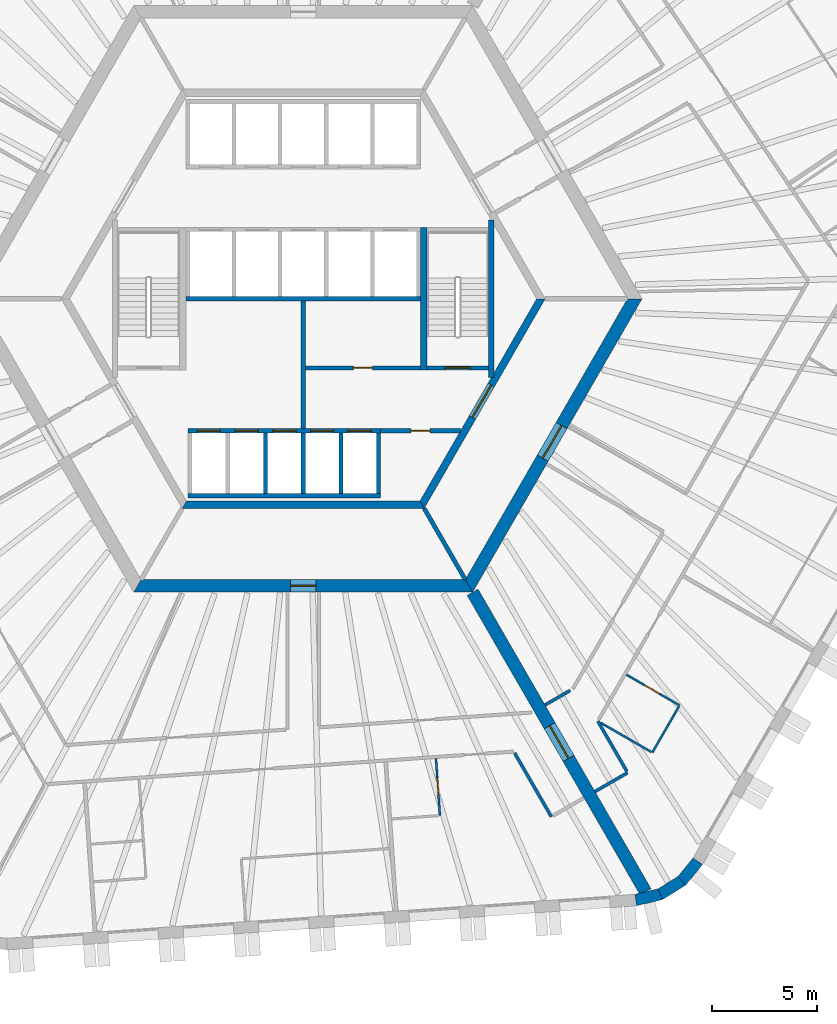
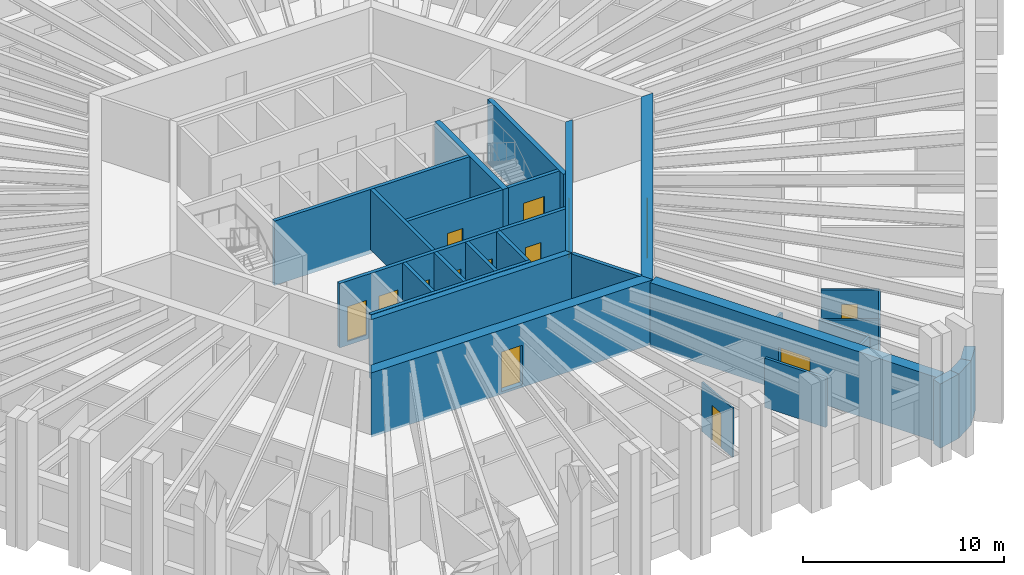
# One storey, part 5 of 13: 30 walls, 14 doors, 14 openings.
"""IFC4 building model written with IfcOpenShell, lengths in metres."""

from ifc_helpers import new_model, si_unit, direction, frame, frame_2d, origin, place, context, subcontext, project, spatial, polyline, rectangle, outline, extrude, material, layer, layer_set, type_object, element, fill, save


model = new_model("IFC4")

# Units and contexts
model_context = context("Model", 3, precision=1e-05, world=origin(), true_north=direction((0.0, 1.0)))
body_context = subcontext(model_context, "Body", "Model", "MODEL_VIEW")
ifc_project = project(units=[si_unit("LENGTHUNIT", "METRE"), si_unit("AREAUNIT", "SQUARE_METRE"), si_unit("VOLUMEUNIT", "CUBIC_METRE"), si_unit("PLANEANGLEUNIT", "RADIAN"), si_unit("MASSUNIT", "GRAM", prefix="KILO")], contexts=[model_context])

# Site, building, storey
site_placement = place(None, origin())
site = spatial("IfcSite", under=ifc_project, at=site_placement, CompositionType="ELEMENT")
building_placement = place(site_placement, origin())
building = spatial("IfcBuilding", under=site, at=building_placement, Name="Tarnside Tower", CompositionType="ELEMENT")
storey_placement = place(building_placement, frame((0.0, 0.0, 92.10009765625)))
storey = spatial("IfcBuildingStorey", under=building, at=storey_placement, Name="L20", CompositionType="ELEMENT", Elevation=92.10009765625)

# Wall, opening, door
ifc_material_1 = material(Name="Gypsum board partition on steel studs", Category="steel")
ifc_layer_1 = layer(ifc_material_1, 0.10009765625)
ifc_layer_set_1 = layer_set([ifc_layer_1], Name="Bathroom wall 100")
wall_type_1 = type_object("IfcWallType", Name="Bathroom wall 100", PredefinedType="PARTITIONING", material=ifc_layer_set_1)
wall_1_placement = place(storey_placement, frame((6.33447265625, -21.9365234375, 0.0), z_axis=(0.0, 0.0, 1.0), x_axis=(0.069789009646, -0.997561774595, 0.0)))
wall_1 = element("IfcWall", 1, at=wall_1_placement, inside=storey, type_object=wall_type_1, Name="Bathroom wall 06136", PredefinedType="PARTITIONING", context=body_context, shape_type="SweptSolid", body=[
    extrude(rectangle(XDim=2.72509765625, YDim=0.10009765625, at=frame_2d((1.362548828125, 0.0))), origin(), (0.0, 0.0, 1.0), 2.98779296875),
])
opening_1_placement = place(wall_1_placement, frame((0.925048828125, 0.0, 0.0)))
opening_1 = element("IfcOpeningElement", 2, at=opening_1_placement, cuts=wall_1, Name="Opening D-B1", PredefinedType="OPENING", context=body_context, shape_type="SweptSolid", body=[
    extrude(rectangle(XDim=0.800048828125, YDim=2.10009765625, at=frame_2d((0.39990234375, 1.050048828125))), frame((0.0, 0.06005859375, 0.0), z_axis=(0.0, -1.0, 0.0), x_axis=(1.0, 0.0, 0.0)), (0.0, 0.0, 1.0), 0.1201171875),
])
ifc_material_2 = material(Name="Timber door leaf", Category="wood")
door_type_1 = type_object("IfcDoorType", Name="Bathroom door 800", OperationType="NOTDEFINED", PredefinedType="DOOR", material=ifc_material_2)
door_1_placement = place(opening_1_placement, origin())
door_1 = element("IfcDoor", 3, at=door_1_placement, inside=storey, type_object=door_type_1, Name="Bathroom door 06029", OperationType="SINGLE_SWING_RIGHT", OverallHeight=2.10009765625, OverallWidth=0.800048828125, PredefinedType="DOOR", context=body_context, shape_type="SweptSolid", body=[
    extrude(rectangle(XDim=0.800048828125, YDim=2.10009765625, at=frame_2d((0.39990234375, 1.050048828125))), frame((0.0, 0.02490234375, 0.0), z_axis=(0.0, -1.0, 0.0), x_axis=(1.0, 0.0, 0.0)), (0.0, 0.0, 1.0), 0.050048828125),
])
fill(opening_1, door_1)

wall_2_placement = place(storey_placement, frame((15.42333984375, -17.935791015625, 0.0), z_axis=(0.0, 0.0, 1.0), x_axis=(0.86601045545, -0.500025890382, 0.0)))
wall_2 = element("IfcWall", 4, at=wall_2_placement, inside=storey, type_object=wall_type_1, Name="Bathroom wall 06138", PredefinedType="PARTITIONING", context=body_context, shape_type="SweptSolid", body=[
    extrude(rectangle(XDim=2.925048828125, YDim=0.10009765625, at=frame_2d((1.46240234375, 0.0))), origin(), (0.0, 0.0, 1.0), 2.98779296875),
])
opening_2_placement = place(wall_2_placement, frame((1.02490234375, 0.0, 0.0)))
opening_2 = element("IfcOpeningElement", 5, at=opening_2_placement, cuts=wall_2, Name="Opening D-B1", PredefinedType="OPENING", context=body_context, shape_type="SweptSolid", body=[
    extrude(rectangle(XDim=0.800048828125, YDim=2.10009765625, at=frame_2d((0.39990234375, 1.050048828125))), frame((0.0, 0.06005859375, 0.0), z_axis=(0.0, -1.0, 0.0), x_axis=(1.0, 0.0, 0.0)), (0.0, 0.0, 1.0), 0.1201171875),
])
door_2_placement = place(opening_2_placement, origin())
door_2 = element("IfcDoor", 6, at=door_2_placement, inside=storey, type_object=door_type_1, Name="Bathroom door 06031", OperationType="SINGLE_SWING_RIGHT", OverallHeight=2.10009765625, OverallWidth=0.800048828125, PredefinedType="DOOR", context=body_context, shape_type="SweptSolid", body=[
    extrude(rectangle(XDim=0.800048828125, YDim=2.10009765625, at=frame_2d((0.39990234375, 1.050048828125))), frame((0.0, 0.02490234375, 0.0), z_axis=(0.0, -1.0, 0.0), x_axis=(1.0, 0.0, 0.0)), (0.0, 0.0, 1.0), 0.050048828125),
])
fill(opening_2, door_2)

# Walls
wall_3_placement = place(storey_placement, frame((17.931640625, -19.441650390625, 0.0), z_axis=(0.0, 0.0, 1.0), x_axis=(-0.500062241894, -0.865989465428, 0.0)))
element("IfcWall", 7, at=wall_3_placement, inside=storey, type_object=wall_type_1, Name="Bathroom wall 06139", PredefinedType="PARTITIONING", context=body_context, shape_type="SweptSolid", body=[
    extrude(rectangle(XDim=2.550048828125, YDim=0.10009765625, at=frame_2d((1.27490234375, 0.0))), origin(), (0.0, 0.0, 1.0), 2.98779296875),
])
wall_4_placement = place(storey_placement, frame((16.61328125, -21.625, 0.0), z_axis=(0.0, 0.0, 1.0), x_axis=(-0.866034573852, 0.49998411664, 0.0)))
element("IfcWall", 8, at=wall_4_placement, inside=storey, type_object=wall_type_1, Name="Bathroom wall 06140", PredefinedType="PARTITIONING", context=body_context, shape_type="SweptSolid", body=[
    extrude(rectangle(XDim=2.7998046875, YDim=0.10009765625, at=frame_2d((1.39990234375, 0.0))), origin(), (0.0, 0.0, 1.0), 2.98779296875),
])
ifc_material_3 = material(Name="Concrete C50/60", Category="concrete")
ifc_layer_2 = layer(ifc_material_3, 0.35009765625)
ifc_layer_set_2 = layer_set([ifc_layer_2], Name="Core block wall 350 C50/60")
wall_type_2 = type_object("IfcWallType", Name="Core block wall 350 C50/60", PredefinedType="SHEAR", material=ifc_layer_set_2)
wall_5_placement = place(storey_placement, frame((-5.672607421875, -9.824951171875, -0.150146484375), z_axis=(0.0, 0.0, 1.0), x_axis=(1.0, 0.0, 0.0)))
element("IfcWall", 9, at=wall_5_placement, inside=storey, type_object=wall_type_2, Name="L20 core block wall face 4", PredefinedType="SHEAR", context=body_context, shape_type="SweptSolid", body=[
    extrude(outline(polyline([(-0.10107421875, -0.175048828125), (11.4462890625, -0.175048828125), (11.244140625, 0.175048828125), (0.10107421875, 0.175048828125), (-0.10107421875, -0.175048828125)])), origin(), (0.0, 0.0, 1.0), 3.900146484375),
])

# Wall, opening, door
wall_6_placement = place(storey_placement, frame((5.672607421875, -9.824951171875, -0.150146484375), z_axis=(0.0, 0.0, 1.0), x_axis=(0.499995046907, 0.866028263435, 0.0)))
wall_6 = element("IfcWall", 10, at=wall_6_placement, inside=storey, type_object=wall_type_2, Name="L20 core block wall face 5", PredefinedType="SHEAR", context=body_context, shape_type="SweptSolid", body=[
    extrude(outline(polyline([(-0.10107421875, -0.175048828125), (11.44580078125, -0.175048828125), (11.24365234375, 0.175048828125), (0.10107421875, 0.175048828125), (-0.10107421875, -0.175048828125)])), origin(), (0.0, 0.0, 1.0), 3.900146484375),
])
opening_3_placement = place(wall_6_placement, frame((4.80126953125, 0.0, 0.14990234375)))
opening_3 = element("IfcOpeningElement", 11, at=opening_3_placement, cuts=wall_6, Name="Opening CD-FFL", PredefinedType="OPENING", context=body_context, shape_type="SweptSolid", body=[
    extrude(rectangle(XDim=1.800048828125, YDim=2.39990234375, at=frame_2d((0.89990234375, 1.199951171875))), frame((0.0, 0.18505859375, 0.0), z_axis=(0.0, -1.0, 0.0), x_axis=(1.0, 0.0, 0.0)), (0.0, 0.0, 1.0), 0.3701171875),
])
ifc_material_4 = material(Name="Steel fire door", Category="steel")
door_type_2 = type_object("IfcDoorType", Name="Firefighting lobby double door FD60S 1800x2400", OperationType="NOTDEFINED", PredefinedType="DOOR", material=ifc_material_4)
door_3_placement = place(opening_3_placement, origin())
door_3 = element("IfcDoor", 12, at=door_3_placement, inside=storey, type_object=door_type_2, Name="L20 lobby block door P4", OperationType="DOUBLE_DOOR_SINGLE_SWING", OverallHeight=2.39990234375, OverallWidth=1.800048828125, PredefinedType="DOOR", context=body_context, shape_type="SweptSolid", body=[
    extrude(rectangle(XDim=1.800048828125, YDim=2.39990234375, at=frame_2d((0.89990234375, 1.199951171875))), frame((0.0, 0.02490234375, 0.0), z_axis=(0.0, -1.0, 0.0), x_axis=(1.0, 0.0, 0.0)), (0.0, 0.0, 1.0), 0.050048828125),
])
fill(opening_3, door_3)

ifc_material_5 = material(Name="Concrete C40/50", Category="concrete")
ifc_layer_3 = layer(ifc_material_5, 0.199951171875)
ifc_layer_set_3 = layer_set([ifc_layer_3], Name="Core room partition 200 C40/50")
wall_type_3 = type_object("IfcWallType", Name="Core room partition 200 C40/50", PredefinedType="PARTITIONING", material=ifc_layer_set_3)
wall_7_placement = place(storey_placement, frame((0.10009765625, -3.300048828125, 0.0), z_axis=(0.0, 0.0, 1.0), x_axis=(1.0, 0.0, 0.0)))
wall_7 = element("IfcWall", 13, at=wall_7_placement, inside=storey, type_object=wall_type_3, Name="L20 core partition R3S1", PredefinedType="PARTITIONING", context=body_context, shape_type="SweptSolid", body=[
    extrude(rectangle(XDim=5.5, YDim=0.199951171875, at=frame_2d((2.75, 0.0))), origin(), (0.0, 0.0, 1.0), 3.64990234375),
])
opening_4_placement = place(wall_7_placement, frame((2.300048828125, 0.0, 0.0)))
opening_4 = element("IfcOpeningElement", 14, at=opening_4_placement, cuts=wall_7, Name="Opening CD-room", PredefinedType="OPENING", context=body_context, shape_type="SweptSolid", body=[
    extrude(rectangle(XDim=0.89990234375, YDim=2.10009765625, at=frame_2d((0.449951171875, 1.050048828125))), frame((0.0, 0.10986328125, 0.0), z_axis=(0.0, -1.0, 0.0), x_axis=(1.0, 0.0, 0.0)), (0.0, 0.0, 1.0), 0.219970703125),
])
door_type_3 = type_object("IfcDoorType", Name="Room door FD60 900x2100", OperationType="NOTDEFINED", PredefinedType="DOOR", material=ifc_material_4)
door_4_placement = place(opening_4_placement, origin())
door_4 = element("IfcDoor", 15, at=door_4_placement, inside=storey, type_object=door_type_3, Name="L20 core room door SR1", OperationType="SINGLE_SWING_LEFT", OverallHeight=2.10009765625, OverallWidth=0.89990234375, PredefinedType="DOOR", context=body_context, shape_type="SweptSolid", body=[
    extrude(rectangle(XDim=0.89990234375, YDim=2.10009765625, at=frame_2d((0.449951171875, 1.050048828125))), frame((0.0, 0.02490234375, 0.0), z_axis=(0.0, -1.0, 0.0), x_axis=(1.0, 0.0, 0.0)), (0.0, 0.0, 1.0), 0.050048828125),
])
fill(opening_4, door_4)

# Wall
wall_8_placement = place(storey_placement, frame((0.0, -6.199951171875, 0.0), z_axis=(0.0, 0.0, 1.0), x_axis=(0.0, 1.0, 0.0)))
element("IfcWall", 16, at=wall_8_placement, inside=storey, type_object=wall_type_3, Name="L20 core partition X0", PredefinedType="PARTITIONING", context=body_context, shape_type="SweptSolid", body=[
    extrude(rectangle(XDim=6.099853515625, YDim=0.199951171875, at=frame_2d((3.0498046875, 0.0))), origin(), (0.0, 0.0, 1.0), 3.64990234375),
])

# Wall, opening, door
wall_9_placement = place(storey_placement, frame((3.699951171875, -6.300048828125, 0.0), z_axis=(0.0, 0.0, 1.0), x_axis=(1.0, 0.0, 0.0)))
wall_9 = element("IfcWall", 17, at=wall_9_placement, inside=storey, type_object=wall_type_3, Name="L20 core partition R4X", PredefinedType="PARTITIONING", context=body_context, shape_type="SweptSolid", body=[
    extrude(rectangle(XDim=3.8056640625, YDim=0.199951171875, at=frame_2d((1.90283203125, 0.0))), origin(), (0.0, 0.0, 1.0), 3.64990234375),
])
opening_5_placement = place(wall_9_placement, frame((1.452880859375, 0.0, 0.0)))
opening_5 = element("IfcOpeningElement", 18, at=opening_5_placement, cuts=wall_9, Name="Opening CD-room", PredefinedType="OPENING", context=body_context, shape_type="SweptSolid", body=[
    extrude(rectangle(XDim=0.89990234375, YDim=2.10009765625, at=frame_2d((0.449951171875, 1.050048828125))), frame((0.0, 0.10986328125, 0.0), z_axis=(0.0, -1.0, 0.0), x_axis=(1.0, 0.0, 0.0)), (0.0, 0.0, 1.0), 0.219970703125),
])
door_5_placement = place(opening_5_placement, origin())
door_5 = element("IfcDoor", 19, at=door_5_placement, inside=storey, type_object=door_type_3, Name="L20 core room door RX", OperationType="SINGLE_SWING_LEFT", OverallHeight=2.10009765625, OverallWidth=0.89990234375, PredefinedType="DOOR", context=body_context, shape_type="SweptSolid", body=[
    extrude(rectangle(XDim=0.89990234375, YDim=2.10009765625, at=frame_2d((0.449951171875, 1.050048828125))), frame((0.0, 0.02490234375, 0.0), z_axis=(0.0, -1.0, 0.0), x_axis=(1.0, 0.0, 0.0)), (0.0, 0.0, 1.0), 0.050048828125),
])
fill(opening_5, door_5)

ifc_material_6 = material(Name="Concrete C80/95", Category="concrete")
ifc_layer_4 = layer(ifc_material_6, 0.60009765625)
ifc_layer_set_4 = layer_set([ifc_layer_4], Name="Core wall Z1 600 C80/95")
wall_type_4 = type_object("IfcWallType", Name="Core wall Z1 600 C80/95", PredefinedType="SHEAR", material=ifc_layer_set_4)
wall_10_placement = place(storey_placement, frame((-7.90966796875, -13.699951171875, -0.150146484375), z_axis=(0.0, 0.0, 1.0), x_axis=(1.0, 0.0, 0.0)))
wall_10 = element("IfcWall", 20, at=wall_10_placement, inside=storey, type_object=wall_type_4, Name="L20 core wall face 4", PredefinedType="SHEAR", context=body_context, shape_type="SweptSolid", body=[
    extrude(outline(polyline([(-0.17333984375, -0.300048828125), (15.99267578125, -0.300048828125), (15.64599609375, 0.300048828125), (0.17333984375, 0.300048828125), (-0.17333984375, -0.300048828125)])), origin(), (0.0, 0.0, 1.0), 3.900146484375),
])
opening_6_placement = place(wall_10_placement, frame((7.309814453125, 0.0, 0.14990234375)))
opening_6 = element("IfcOpeningElement", 21, at=opening_6_placement, cuts=wall_10, Name="Opening CD-RSR", PredefinedType="OPENING", context=body_context, shape_type="SweptSolid", body=[
    extrude(rectangle(XDim=1.199951171875, YDim=2.39990234375, at=frame_2d((0.60009765625, 1.199951171875))), frame((0.0, 0.31005859375, 0.0), z_axis=(0.0, -1.0, 0.0), x_axis=(1.0, 0.0, 0.0)), (0.0, 0.0, 1.0), 0.6201171875),
])
door_type_4 = type_object("IfcDoorType", Name="Riser door FD60 1200x2400", OperationType="NOTDEFINED", PredefinedType="DOOR", material=ifc_material_4)
door_6_placement = place(opening_6_placement, origin())
door_6 = element("IfcDoor", 22, at=door_6_placement, inside=storey, type_object=door_type_4, Name="L20 core door S6", OperationType="SINGLE_SWING_LEFT", OverallHeight=2.39990234375, OverallWidth=1.199951171875, PredefinedType="DOOR", context=body_context, shape_type="SweptSolid", body=[
    extrude(rectangle(XDim=1.199951171875, YDim=2.39990234375, at=frame_2d((0.60009765625, 1.199951171875))), frame((0.0, 0.02490234375, 0.0), z_axis=(0.0, -1.0, 0.0), x_axis=(1.0, 0.0, 0.0)), (0.0, 0.0, 1.0), 0.050048828125),
])
fill(opening_6, door_6)

wall_11_placement = place(storey_placement, frame((7.90966796875, -13.699951171875, -0.150146484375), z_axis=(0.0, 0.0, 1.0), x_axis=(0.499999880136, 0.866025472988, 0.0)))
wall_11 = element("IfcWall", 23, at=wall_11_placement, inside=storey, type_object=wall_type_4, Name="L20 core wall face 5", PredefinedType="SHEAR", context=body_context, shape_type="SweptSolid", body=[
    extrude(outline(polyline([(-0.17333984375, -0.300048828125), (15.99267578125, -0.300048828125), (15.64599609375, 0.300048828125), (0.17333984375, 0.300048828125), (-0.17333984375, -0.300048828125)])), origin(), (0.0, 0.0, 1.0), 3.900146484375),
])
opening_7_placement = place(wall_11_placement, frame((7.03857421875, 0.0, 0.14990234375)))
opening_7 = element("IfcOpeningElement", 24, at=opening_7_placement, cuts=wall_11, Name="Opening CD-FFL", PredefinedType="OPENING", context=body_context, shape_type="SweptSolid", body=[
    extrude(rectangle(XDim=1.800048828125, YDim=2.39990234375, at=frame_2d((0.89990234375, 1.199951171875))), frame((0.0, 0.31005859375, 0.0), z_axis=(0.0, -1.0, 0.0), x_axis=(1.0, 0.0, 0.0)), (0.0, 0.0, 1.0), 0.6201171875),
])
door_7_placement = place(opening_7_placement, origin())
door_7 = element("IfcDoor", 25, at=door_7_placement, inside=storey, type_object=door_type_2, Name="L20 core door P4", OperationType="DOUBLE_DOOR_SINGLE_SWING", OverallHeight=2.39990234375, OverallWidth=1.800048828125, PredefinedType="DOOR", context=body_context, shape_type="SweptSolid", body=[
    extrude(rectangle(XDim=1.800048828125, YDim=2.39990234375, at=frame_2d((0.89990234375, 1.199951171875))), frame((0.0, 0.02490234375, 0.0), z_axis=(0.0, -1.0, 0.0), x_axis=(1.0, 0.0, 0.0)), (0.0, 0.0, 1.0), 0.050048828125),
])
fill(opening_7, door_7)

wall_12_placement = place(storey_placement, frame((8.0830078125, -14.0, -0.150146484375), z_axis=(0.0, 0.0, 1.0), x_axis=(0.499997680643, -0.866026742862, 0.0)))
wall_12 = element("IfcWall", 26, at=wall_12_placement, inside=storey, type_object=wall_type_4, Name="L20 spine wall 3", PredefinedType="SHEAR", context=body_context, shape_type="SweptSolid", body=[
    extrude(rectangle(XDim=16.5087890625, YDim=0.60009765625, at=frame_2d((8.25439453125, 0.0))), origin(), (0.0, 0.0, 1.0), 3.900146484375),
])
opening_8_placement = place(wall_12_placement, frame((7.3544921875, 0.0, 0.14990234375)))
opening_8 = element("IfcOpeningElement", 27, at=opening_8_placement, cuts=wall_12, Name="Opening CD-SPN", PredefinedType="OPENING", context=body_context, shape_type="SweptSolid", body=[
    extrude(rectangle(XDim=1.800048828125, YDim=2.39990234375, at=frame_2d((0.89990234375, 1.199951171875))), frame((0.0, 0.31005859375, 0.0), z_axis=(0.0, -1.0, 0.0), x_axis=(1.0, 0.0, 0.0)), (0.0, 0.0, 1.0), 0.6201171875),
])
door_type_5 = type_object("IfcDoorType", Name="Spine passage double door FD60 1800x2400", OperationType="NOTDEFINED", PredefinedType="DOOR", material=ifc_material_4)
door_8_placement = place(opening_8_placement, origin())
door_8 = element("IfcDoor", 28, at=door_8_placement, inside=storey, type_object=door_type_5, Name="L20 spine passage door 3", OperationType="DOUBLE_DOOR_SINGLE_SWING", OverallHeight=2.39990234375, OverallWidth=1.800048828125, PredefinedType="DOOR", context=body_context, shape_type="SweptSolid", body=[
    extrude(rectangle(XDim=1.800048828125, YDim=2.39990234375, at=frame_2d((0.89990234375, 1.199951171875))), frame((0.0, 0.02490234375, 0.0), z_axis=(0.0, -1.0, 0.0), x_axis=(1.0, 0.0, 0.0)), (0.0, 0.0, 1.0), 0.050048828125),
])
fill(opening_8, door_8)

# Walls
ifc_layer_5 = layer(ifc_material_1, 0.14990234375)
ifc_layer_set_5 = layer_set([ifc_layer_5], Name="Corridor wall 150 EI 60")
wall_type_5 = type_object("IfcWallType", Name="Corridor wall 150 EI 60", PredefinedType="PARTITIONING", material=ifc_layer_set_5)
wall_13_placement = place(storey_placement, frame((10.088623046875, -21.674072265625, 0.0), z_axis=(0.0, 0.0, 1.0), x_axis=(0.500003763204, -0.866023231087, 0.0)))
element("IfcWall", 29, at=wall_13_placement, inside=storey, type_object=wall_type_5, Name="Corridor wall 06037", PredefinedType="PARTITIONING", context=body_context, shape_type="SweptSolid", body=[
    extrude(rectangle(XDim=3.505859375, YDim=0.14990234375, at=frame_2d((1.7529296875, 0.0))), origin(), (0.0, 0.0, 1.0), 2.98779296875),
])
wall_14_placement = place(storey_placement, frame((13.919921875, -23.510009765625, 0.0), z_axis=(0.0, 0.0, 1.0), x_axis=(0.866047807691, 0.499961193289, 0.0)))
element("IfcWall", 30, at=wall_14_placement, inside=storey, type_object=wall_type_5, Name="Corridor wall 06050", PredefinedType="PARTITIONING", context=body_context, shape_type="SweptSolid", body=[
    extrude(rectangle(XDim=1.800048828125, YDim=0.14990234375, at=frame_2d((0.89990234375, 0.0))), origin(), (0.0, 0.0, 1.0), 2.98779296875),
])
wall_15_placement = place(storey_placement, frame((15.44140625, -22.545166015625, 0.0), z_axis=(0.0, 0.0, 1.0), x_axis=(-0.499974611044, 0.866040061609, 0.0)))
element("IfcWall", 31, at=wall_15_placement, inside=storey, type_object=wall_type_5, Name="Corridor wall 06051", PredefinedType="PARTITIONING", context=body_context, shape_type="SweptSolid", body=[
    extrude(rectangle(XDim=2.765869140625, YDim=0.14990234375, at=frame_2d((1.3828125, 0.0))), origin(), (0.0, 0.0, 1.0), 2.98779296875),
])
wall_16_placement = place(storey_placement, frame((12.73779296875, -18.6875, 0.0), z_axis=(0.0, 0.0, 1.0), x_axis=(-0.866080107329, -0.499905238708, 0.0)))
element("IfcWall", 32, at=wall_16_placement, inside=storey, type_object=wall_type_5, Name="Corridor wall 06073", PredefinedType="PARTITIONING", context=body_context, shape_type="SweptSolid", body=[
    extrude(rectangle(XDim=1.387451171875, YDim=0.14990234375, at=frame_2d((0.69384765625, 0.0))), origin(), (0.0, 0.0, 1.0), 2.98779296875),
])
ifc_layer_6 = layer(ifc_material_5, 0.199951171875)
ifc_layer_set_6 = layer_set([ifc_layer_6], Name="Lift shaft wall 200 C40/50")
wall_type_6 = type_object("IfcWallType", Name="Lift shaft wall 200 C40/50", PredefinedType="SHEAR", material=ifc_layer_set_6)
wall_17_placement = place(storey_placement, frame((-5.60009765625, 0.0, -0.25), z_axis=(0.0, 0.0, 1.0), x_axis=(1.0, 0.0, 0.0)))
element("IfcWall", 33, at=wall_17_placement, inside=storey, type_object=wall_type_6, Name="L20 lift shaft back wall R2", PredefinedType="SHEAR", context=body_context, shape_type="SweptSolid", body=[
    extrude(rectangle(XDim=11.2001953125, YDim=0.199951171875, at=frame_2d((5.60009765625, 0.0))), origin(), (0.0, 0.0, 1.0), 3.89990234375),
])

# Wall, openings, doors
wall_18_placement = place(storey_placement, frame((-5.5, -6.300048828125, -0.25), z_axis=(0.0, 0.0, 1.0), x_axis=(1.0, 0.0, 0.0)))
wall_18 = element("IfcWall", 34, at=wall_18_placement, inside=storey, type_object=wall_type_6, Name="L20 lift shaft front wall R4", PredefinedType="SHEAR", context=body_context, shape_type="SweptSolid", body=[
    extrude(rectangle(XDim=9.199951171875, YDim=0.199951171875, at=frame_2d((4.60009765625, 0.0))), origin(), (0.0, 0.0, 1.0), 3.89990234375),
])
opening_9_placement = place(wall_18_placement, frame((0.449951171875, 0.0, 0.25)))
opening_9 = element("IfcOpeningElement", 35, at=opening_9_placement, cuts=wall_18, Name="Opening LDF", PredefinedType="OPENING", context=body_context, shape_type="SweptSolid", body=[
    extrude(rectangle(XDim=1.10009765625, YDim=2.10009765625, at=frame_2d((0.550048828125, 1.050048828125))), frame((0.0, 0.10986328125, 0.0), z_axis=(0.0, -1.0, 0.0), x_axis=(1.0, 0.0, 0.0)), (0.0, 0.0, 1.0), 0.219970703125),
])
opening_10_placement = place(wall_18_placement, frame((2.25, 0.0, 0.25)))
opening_10 = element("IfcOpeningElement", 36, at=opening_10_placement, cuts=wall_18, Name="Opening LDF", PredefinedType="OPENING", context=body_context, shape_type="SweptSolid", body=[
    extrude(rectangle(XDim=1.10009765625, YDim=2.10009765625, at=frame_2d((0.550048828125, 1.050048828125))), frame((0.0, 0.10986328125, 0.0), z_axis=(0.0, -1.0, 0.0), x_axis=(1.0, 0.0, 0.0)), (0.0, 0.0, 1.0), 0.219970703125),
])
opening_11_placement = place(wall_18_placement, frame((4.050048828125, 0.0, 0.25)))
opening_11 = element("IfcOpeningElement", 37, at=opening_11_placement, cuts=wall_18, Name="Opening LDF", PredefinedType="OPENING", context=body_context, shape_type="SweptSolid", body=[
    extrude(rectangle(XDim=1.10009765625, YDim=2.10009765625, at=frame_2d((0.550048828125, 1.050048828125))), frame((0.0, 0.10986328125, 0.0), z_axis=(0.0, -1.0, 0.0), x_axis=(1.0, 0.0, 0.0)), (0.0, 0.0, 1.0), 0.219970703125),
])
opening_12_placement = place(wall_18_placement, frame((5.85009765625, 0.0, 0.25)))
opening_12 = element("IfcOpeningElement", 38, at=opening_12_placement, cuts=wall_18, Name="Opening LDF", PredefinedType="OPENING", context=body_context, shape_type="SweptSolid", body=[
    extrude(rectangle(XDim=1.10009765625, YDim=2.10009765625, at=frame_2d((0.550048828125, 1.050048828125))), frame((0.0, 0.10986328125, 0.0), z_axis=(0.0, -1.0, 0.0), x_axis=(1.0, 0.0, 0.0)), (0.0, 0.0, 1.0), 0.219970703125),
])
opening_13_placement = place(wall_18_placement, frame((7.64990234375, 0.0, 0.25)))
opening_13 = element("IfcOpeningElement", 39, at=opening_13_placement, cuts=wall_18, Name="Opening LDF", PredefinedType="OPENING", context=body_context, shape_type="SweptSolid", body=[
    extrude(rectangle(XDim=1.10009765625, YDim=2.10009765625, at=frame_2d((0.550048828125, 1.050048828125))), frame((0.0, 0.10986328125, 0.0), z_axis=(0.0, -1.0, 0.0), x_axis=(1.0, 0.0, 0.0)), (0.0, 0.0, 1.0), 0.219970703125),
])
ifc_material_7 = material(Name="Stainless steel", Category="steel")
door_type_6 = type_object("IfcDoorType", Name="Lift landing door 1100x2100 EI 120", OperationType="NOTDEFINED", PredefinedType="DOOR", material=ifc_material_7)
door_9_placement = place(opening_9_placement, origin())
door_9 = element("IfcDoor", 40, at=door_9_placement, inside=storey, type_object=door_type_6, Name="Firefighting lift 1 landing door L20", OperationType="SLIDING_TO_LEFT", OverallHeight=2.10009765625, OverallWidth=1.10009765625, PredefinedType="DOOR", context=body_context, shape_type="SweptSolid", body=[
    extrude(rectangle(XDim=1.10009765625, YDim=2.10009765625, at=frame_2d((0.550048828125, 1.050048828125))), frame((0.0, 0.02490234375, 0.0), z_axis=(0.0, -1.0, 0.0), x_axis=(1.0, 0.0, 0.0)), (0.0, 0.0, 1.0), 0.050048828125),
])
fill(opening_9, door_9)
door_10_placement = place(opening_10_placement, origin())
door_10 = element("IfcDoor", 41, at=door_10_placement, inside=storey, type_object=door_type_6, Name="Firefighting lift 2 landing door L20", OperationType="SLIDING_TO_LEFT", OverallHeight=2.10009765625, OverallWidth=1.10009765625, PredefinedType="DOOR", context=body_context, shape_type="SweptSolid", body=[
    extrude(rectangle(XDim=1.10009765625, YDim=2.10009765625, at=frame_2d((0.550048828125, 1.050048828125))), frame((0.0, 0.02490234375, 0.0), z_axis=(0.0, -1.0, 0.0), x_axis=(1.0, 0.0, 0.0)), (0.0, 0.0, 1.0), 0.050048828125),
])
fill(opening_10, door_10)
door_11_placement = place(opening_11_placement, origin())
door_11 = element("IfcDoor", 42, at=door_11_placement, inside=storey, type_object=door_type_6, Name="Firefighting lift 3 landing door L20", OperationType="SLIDING_TO_LEFT", OverallHeight=2.10009765625, OverallWidth=1.10009765625, PredefinedType="DOOR", context=body_context, shape_type="SweptSolid", body=[
    extrude(rectangle(XDim=1.10009765625, YDim=2.10009765625, at=frame_2d((0.550048828125, 1.050048828125))), frame((0.0, 0.02490234375, 0.0), z_axis=(0.0, -1.0, 0.0), x_axis=(1.0, 0.0, 0.0)), (0.0, 0.0, 1.0), 0.050048828125),
])
fill(opening_11, door_11)
door_12_placement = place(opening_12_placement, origin())
door_12 = element("IfcDoor", 43, at=door_12_placement, inside=storey, type_object=door_type_6, Name="Firefighting lift 4 landing door L20", OperationType="SLIDING_TO_LEFT", OverallHeight=2.10009765625, OverallWidth=1.10009765625, PredefinedType="DOOR", context=body_context, shape_type="SweptSolid", body=[
    extrude(rectangle(XDim=1.10009765625, YDim=2.10009765625, at=frame_2d((0.550048828125, 1.050048828125))), frame((0.0, 0.02490234375, 0.0), z_axis=(0.0, -1.0, 0.0), x_axis=(1.0, 0.0, 0.0)), (0.0, 0.0, 1.0), 0.050048828125),
])
fill(opening_12, door_12)
door_13_placement = place(opening_13_placement, origin())
door_13 = element("IfcDoor", 44, at=door_13_placement, inside=storey, type_object=door_type_6, Name="Firefighting lift 5 landing door L20", OperationType="SLIDING_TO_LEFT", OverallHeight=2.10009765625, OverallWidth=1.10009765625, PredefinedType="DOOR", context=body_context, shape_type="SweptSolid", body=[
    extrude(rectangle(XDim=1.10009765625, YDim=2.10009765625, at=frame_2d((0.550048828125, 1.050048828125))), frame((0.0, 0.02490234375, 0.0), z_axis=(0.0, -1.0, 0.0), x_axis=(1.0, 0.0, 0.0)), (0.0, 0.0, 1.0), 0.050048828125),
])
fill(opening_13, door_13)

# Walls
wall_19_placement = place(storey_placement, frame((-5.5, -9.39990234375, -0.25), z_axis=(0.0, 0.0, 1.0), x_axis=(1.0, 0.0, 0.0)))
element("IfcWall", 45, at=wall_19_placement, inside=storey, type_object=wall_type_6, Name="L20 lift shaft back wall R4", PredefinedType="SHEAR", context=body_context, shape_type="SweptSolid", body=[
    extrude(rectangle(XDim=9.199951171875, YDim=0.199951171875, at=frame_2d((4.60009765625, 0.0))), origin(), (0.0, 0.0, 1.0), 3.89990234375),
])
for number, where, z_axis, x_axis, name in (
    (46, (-1.800048828125, -9.300048828125, -0.25), (0.0, 0.0, 1.0), (0.0, 1.0, 0.0), "L20 lift shaft partition R43"),
    (47, (0.0, -9.300048828125, -0.25), (0.0, 0.0, 1.0), (0.0, 1.0, 0.0), "L20 lift shaft partition R44"),
    (48, (1.800048828125, -9.300048828125, -0.25), (0.0, 0.0, 1.0), (0.0, 1.0, 0.0), "L20 lift shaft partition R45"),
    (49, (3.60009765625, -9.300048828125, -0.25), (0.0, 0.0, 1.0), (0.0, 1.0, 0.0), "L20 lift shaft partition R46"),
):
    element("IfcWall", number, at=place(storey_placement, frame(where, z_axis=z_axis, x_axis=x_axis)), inside=storey, type_object=wall_type_6, Name=name, PredefinedType="SHEAR", context=body_context, shape_type="SweptSolid", body=[
        extrude(rectangle(XDim=2.900146484375, YDim=0.199951171875, at=frame_2d((1.4501953125, 0.0))), origin(), (0.0, 0.0, 1.0), 3.89990234375),
    ])
wall_20_placement = place(storey_placement, frame((5.7734375, -10.0, -0.150146484375), z_axis=(0.0, 0.0, 1.0), x_axis=(0.500038251005, -0.86600331843, 0.0)))
element("IfcWall", 50, at=wall_20_placement, inside=storey, type_object=wall_type_6, Name="L20 core partition AR300", PredefinedType="SHEAR", context=body_context, shape_type="SweptSolid", body=[
    extrude(rectangle(XDim=3.926025390625, YDim=0.199951171875, at=frame_2d((1.962890625, 0.0))), origin(), (0.0, 0.0, 1.0), 3.900146484375),
])

# Wall, opening, door
wall_21_placement = place(storey_placement, frame((5.89990234375, -3.300048828125, -0.25), z_axis=(0.0, 0.0, 1.0), x_axis=(1.0, 0.0, 0.0)))
wall_21 = element("IfcWall", 51, at=wall_21_placement, inside=storey, type_object=wall_type_6, Name="L20 stair 1 enclosure cap wall s", PredefinedType="SHEAR", context=body_context, shape_type="SweptSolid", body=[
    extrude(rectangle(XDim=2.9501953125, YDim=0.199951171875, at=frame_2d((1.47509765625, 0.0))), origin(), (0.0, 0.0, 1.0), 3.89990234375),
])
opening_14_placement = place(wall_21_placement, frame((0.875, 0.0, 0.25)))
opening_14 = element("IfcOpeningElement", 52, at=opening_14_placement, cuts=wall_21, Name="Opening CD-STR", PredefinedType="OPENING", context=body_context, shape_type="SweptSolid", body=[
    extrude(rectangle(XDim=1.199951171875, YDim=2.39990234375, at=frame_2d((0.60009765625, 1.199951171875))), frame((0.0, 0.10986328125, 0.0), z_axis=(0.0, -1.0, 0.0), x_axis=(1.0, 0.0, 0.0)), (0.0, 0.0, 1.0), 0.219970703125),
])
door_type_7 = type_object("IfcDoorType", Name="Stair door FD60S 1200x2400", OperationType="NOTDEFINED", PredefinedType="DOOR", material=ifc_material_4)
door_14_placement = place(opening_14_placement, origin())
door_14 = element("IfcDoor", 53, at=door_14_placement, inside=storey, type_object=door_type_7, Name="L20 stair 1 door", OperationType="SINGLE_SWING_LEFT", OverallHeight=2.39990234375, OverallWidth=1.199951171875, PredefinedType="DOOR", context=body_context, shape_type="SweptSolid", body=[
    extrude(rectangle(XDim=1.199951171875, YDim=2.39990234375, at=frame_2d((0.60009765625, 1.199951171875))), frame((0.0, 0.02490234375, 0.0), z_axis=(0.0, -1.0, 0.0), x_axis=(1.0, 0.0, 0.0)), (0.0, 0.0, 1.0), 0.050048828125),
])
fill(opening_14, door_14)

# Walls
ifc_layer_7 = layer(ifc_material_5, 0.25)
ifc_layer_set_7 = layer_set([ifc_layer_7], Name="Stair enclosure wall 250 C40/50")
wall_type_7 = type_object("IfcWallType", Name="Stair enclosure wall 250 C40/50", PredefinedType="SHEAR", material=ifc_layer_set_7)
wall_22_placement = place(storey_placement, frame((8.97509765625, -3.7548828125, -0.25), z_axis=(0.0, 0.0, 1.0), x_axis=(0.0, 1.0, 0.0)))
element("IfcWall", 54, at=wall_22_placement, inside=storey, type_object=wall_type_7, Name="L20 stair 1 enclosure wall outer", PredefinedType="SHEAR", context=body_context, shape_type="SweptSolid", body=[
    extrude(rectangle(XDim=7.509765625, YDim=0.25, at=frame_2d((3.7548828125, 0.0))), origin(), (0.0, 0.0, 1.0), 3.89990234375),
])
ifc_layer_8 = layer(ifc_material_5, 0.300048828125)
ifc_layer_set_8 = layer_set([ifc_layer_8], Name="Stair enclosure wall 300 C40/50")
wall_type_8 = type_object("IfcWallType", Name="Stair enclosure wall 300 C40/50", PredefinedType="SHEAR", material=ifc_layer_set_8)
wall_23_placement = place(storey_placement, frame((5.75, -3.39990234375, -0.25), z_axis=(0.0, 0.0, 1.0), x_axis=(0.0, 1.0, 0.0)))
element("IfcWall", 55, at=wall_23_placement, inside=storey, type_object=wall_type_8, Name="L20 stair 1 enclosure wall inner", PredefinedType="SHEAR", context=body_context, shape_type="SweptSolid", body=[
    extrude(rectangle(XDim=6.7998046875, YDim=0.300048828125, at=frame_2d((3.39990234375, 0.0))), origin(), (0.0, 0.0, 1.0), 3.89990234375),
])
ifc_material_8 = material(Name="Facing brick", Category="masonry")
ifc_layer_9 = layer(ifc_material_8, 0.10205078125)
ifc_material_9 = material(Name="Concrete C60/75 precast", Category="concrete")
ifc_layer_10 = layer(ifc_material_9, 0.347900390625)
ifc_material_10 = material(Name="Mineral wool insulation")
ifc_layer_11 = layer(ifc_material_10, 0.10009765625)
ifc_layer_set_9 = layer_set([ifc_layer_9, ifc_layer_10, ifc_layer_11], Name="Tube wall 550 brick faced")
wall_type_9 = type_object("IfcWallType", Name="Tube wall 550 brick faced", PredefinedType="SOLIDWALL", material=ifc_layer_set_9)
wall_24_placement = place(storey_placement, frame((15.8642578125, -28.688232421875, -0.150146484375), z_axis=(0.0, 0.0, 1.0), x_axis=(0.973063591128, 0.230536868247, 0.0)))
element("IfcWall", 56, at=wall_24_placement, inside=storey, type_object=wall_type_9, Name="Tube wall L20 F4 chord 13", PredefinedType="SOLIDWALL", context=body_context, shape_type="SweptSolid", body=[
    extrude(outline(polyline([(-0.0224609375, -0.27490234375), (1.25341796875, -0.27490234375), (1.1630859375, 0.27490234375), (0.0224609375, 0.27490234375), (-0.0224609375, -0.27490234375)])), origin(), (0.0, 0.0, 1.0), 3.900146484375),
])
wall_25_placement = place(storey_placement, frame((17.0400390625, -28.40966796875, -0.150146484375), z_axis=(0.0, 0.0, 1.0), x_axis=(0.847952888306, 0.530071598195, 0.0)))
element("IfcWall", 57, at=wall_25_placement, inside=storey, type_object=wall_type_9, Name="Tube wall L20 F4 chord 14", PredefinedType="SOLIDWALL", context=body_context, shape_type="SweptSolid", body=[
    extrude(outline(polyline([(-0.045166015625, -0.27490234375), (1.253173828125, -0.27490234375), (1.162841796875, 0.27490234375), (0.045166015625, 0.27490234375), (-0.045166015625, -0.27490234375)])), origin(), (0.0, 0.0, 1.0), 3.900146484375),
])
wall_26_placement = place(storey_placement, frame((18.064453125, -27.769287109375, -0.150146484375), z_axis=(0.0, 0.0, 1.0), x_axis=(0.633842757806, 0.773461930787, 0.0)))
element("IfcWall", 58, at=wall_26_placement, inside=storey, type_object=wall_type_9, Name="Tube wall L20 F4 chord 15", PredefinedType="SOLIDWALL", context=body_context, shape_type="SweptSolid", body=[
    extrude(outline(polyline([(-0.045166015625, -0.27490234375), (1.230712890625, -0.27490234375), (1.185791015625, 0.27490234375), (0.045166015625, 0.27490234375), (-0.045166015625, -0.27490234375)])), origin(), (0.0, 0.0, 1.0), 3.900146484375),
])

save(model, "model.ifc")
